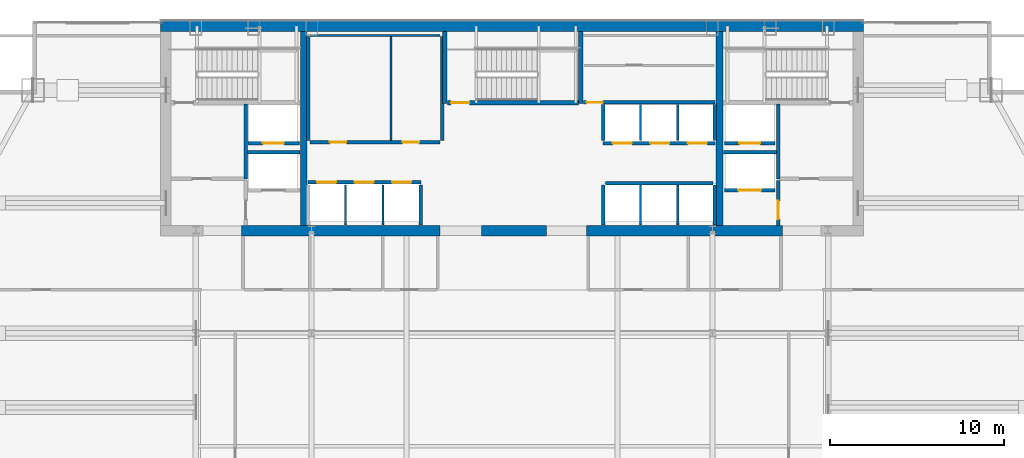
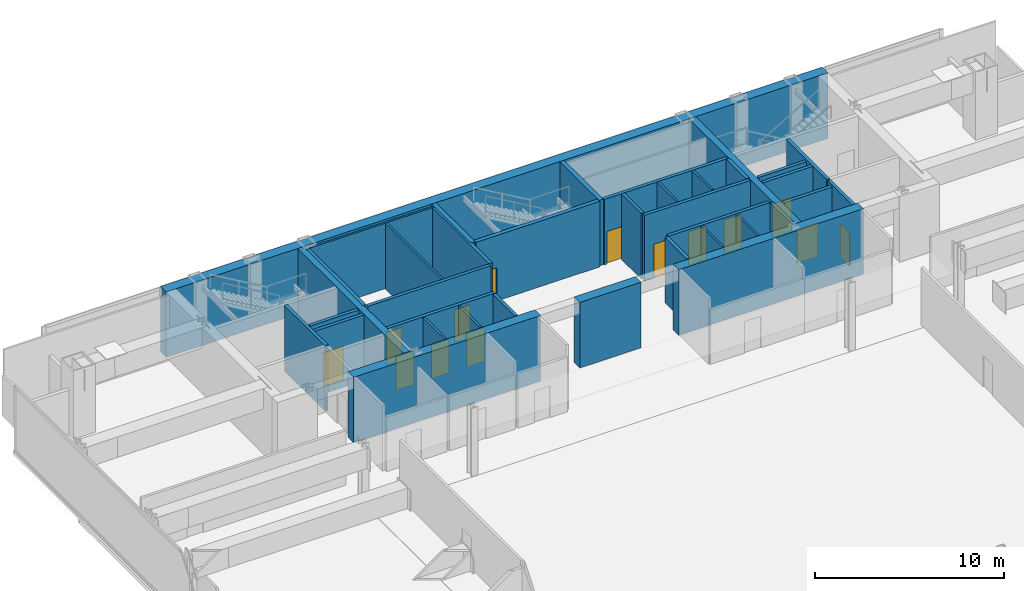
# One storey, part 22 of 25: 37 walls, 14 doors, 14 openings.
"""IFC4 building model written with IfcOpenShell, lengths in metres."""

from ifc_helpers import new_model, si_unit, direction, frame, frame_2d, origin, place, context, subcontext, project, spatial, rectangle, extrude, material, layer, layer_set, type_object, element, fill, save


model = new_model("IFC4")

# Units and contexts
model_context = context("Model", 3, precision=1e-05, world=origin(), true_north=direction((0.0, 1.0)))
body_context = subcontext(model_context, "Body", "Model", "MODEL_VIEW")
ifc_project = project(units=[si_unit("LENGTHUNIT", "METRE"), si_unit("AREAUNIT", "SQUARE_METRE"), si_unit("VOLUMEUNIT", "CUBIC_METRE"), si_unit("PLANEANGLEUNIT", "RADIAN"), si_unit("MASSUNIT", "GRAM", prefix="KILO")], contexts=[model_context])

# Site, building, storey
site_placement = place(None, origin())
site = spatial("IfcSite", under=ifc_project, at=site_placement, CompositionType="ELEMENT")
building_placement = place(site_placement, origin())
building = spatial("IfcBuilding", under=site, at=building_placement, Name="Khoronbel Lancet Exchange", CompositionType="ELEMENT")
storey_placement = place(building_placement, frame((0.0, 0.0, 184.199951171875)))
storey = spatial("IfcBuildingStorey", under=building, at=storey_placement, Name="L46", CompositionType="ELEMENT", Elevation=184.199951171875)

# Walls
ifc_material_1 = material(Name="Concrete C60/75", Category="concrete")
ifc_layer_1 = layer(ifc_material_1, 0.60009765625, Name="Concrete C60/75")
ifc_layer_set_1 = layer_set([ifc_layer_1], Name="Concrete C60/75")
wall_type_1 = type_object("IfcWallType", Name="WL-CW3", PredefinedType="SHEAR", material=ifc_layer_set_1)
wall_1_placement = place(storey_placement, frame((16.199951171875, 53.39990234375, 0.0), z_axis=(0.0, 0.0, 1.0), x_axis=(1.0, 0.0, 0.0)))
element("IfcWall", 1, at=wall_1_placement, inside=storey, type_object=wall_type_1, Name="Level L46 rear core north shear wall", PredefinedType="SHEAR", context=body_context, shape_type="SweptSolid", body=[
    extrude(rectangle(XDim=40.5, YDim=0.60009765625, at=frame_2d((20.25, 0.0))), origin(), (0.0, 0.0, 1.0), 4.239990234375),
])
wall_2_placement = place(storey_placement, frame((32.300048828125, 41.60009765625, 0.0), z_axis=(0.0, 0.0, 1.0), x_axis=(-1.0, 0.0, 0.0)))
element("IfcWall", 2, at=wall_2_placement, inside=storey, type_object=wall_type_1, Name="Level L46 rear core south shear wall pier P2", PredefinedType="SHEAR", context=body_context, shape_type="SweptSolid", body=[
    extrude(rectangle(XDim=11.449951171875, YDim=0.60009765625, at=frame_2d((5.72509765625, 0.0))), origin(), (0.0, 0.0, 1.0), 4.239990234375),
])
wall_3_placement = place(storey_placement, frame((38.449951171875, 41.60009765625, 0.0), z_axis=(0.0, 0.0, 1.0), x_axis=(-1.0, 0.0, 0.0)))
element("IfcWall", 3, at=wall_3_placement, inside=storey, type_object=wall_type_1, Name="Level L46 rear core south shear wall pier P3", PredefinedType="SHEAR", context=body_context, shape_type="SweptSolid", body=[
    extrude(rectangle(XDim=3.75, YDim=0.60009765625, at=frame_2d((1.875, 0.0))), origin(), (0.0, 0.0, 1.0), 4.239990234375),
])
wall_4_placement = place(storey_placement, frame((52.050048828125, 41.60009765625, 0.0), z_axis=(0.0, 0.0, 1.0), x_axis=(-1.0, 0.0, 0.0)))
element("IfcWall", 4, at=wall_4_placement, inside=storey, type_object=wall_type_1, Name="Level L46 rear core south shear wall pier P4", PredefinedType="SHEAR", context=body_context, shape_type="SweptSolid", body=[
    extrude(rectangle(XDim=11.300048828125, YDim=0.60009765625, at=frame_2d((5.64990234375, 0.0))), origin(), (0.0, 0.0, 1.0), 4.239990234375),
])
ifc_material_2 = material(Name="Fire-Rated Metal-Stud & Mineral-Wool Gypsum Partition 120 mm", Category="gypsum")
ifc_layer_2 = layer(ifc_material_2, 0.1201171875, Name="Fire-Rated Metal-Stud & Mineral-Wool Gypsum Partition 120 mm")
ifc_layer_set_2 = layer_set([ifc_layer_2], Name="Fire-Rated Metal-Stud & Mineral-Wool Gypsum Partition 120 mm")
wall_type_2 = type_object("IfcWallType", Name="WL-PRT120F", PredefinedType="PARTITIONING", material=ifc_layer_set_2)
wall_5_placement = place(storey_placement, frame((24.804931640625, 52.860107421875, 0.0), z_axis=(0.0, 0.0, 1.0), x_axis=(1.0, 0.0, 0.0)))
element("IfcWall", 5, at=wall_5_placement, inside=storey, type_object=wall_type_2, Name="Level L46 interior partition CW-PL-RN", PredefinedType="PARTITIONING", context=body_context, shape_type="SweptSolid", body=[
    extrude(rectangle(XDim=7.510009765625, YDim=0.1201171875, at=frame_2d((3.7548828125, 0.0))), origin(), (0.0, 0.0, 1.0), 4.239990234375),
])
wall_6_placement = place(storey_placement, frame((29.486328125, 46.804931640625, 0.0), z_axis=(0.0, 0.0, 1.0), x_axis=(0.0, 1.0, 0.0)))
element("IfcWall", 6, at=wall_6_placement, inside=storey, type_object=wall_type_2, Name="Level L46 interior partition CW-PL-RS2", PredefinedType="PARTITIONING", context=body_context, shape_type="SweptSolid", body=[
    extrude(rectangle(XDim=5.989990234375, YDim=0.1201171875, at=frame_2d((2.9951171875, 0.0))), origin(), (0.0, 0.0, 1.0), 4.239990234375),
])
for number, where, z_axis, x_axis, name in (
    (7, (26.860107421875, 41.949951171875, 0.0), (0.0, 0.0, 1.0), (0.0, 1.0, 0.0), "Level L46 interior partition CW-PM-D1"),
    (8, (29.02001953125, 41.949951171875, 0.0), (0.0, 0.0, 1.0), (0.0, 1.0, 0.0), "Level L46 interior partition CW-PM-D2"),
):
    element("IfcWall", number, at=place(storey_placement, frame(where, z_axis=z_axis, x_axis=x_axis)), inside=storey, type_object=wall_type_2, Name=name, PredefinedType="PARTITIONING", context=body_context, shape_type="SweptSolid", body=[
        extrude(rectangle(XDim=2.300048828125, YDim=0.1201171875, at=frame_2d((1.14990234375, 0.0))), origin(), (0.0, 0.0, 1.0), 4.239990234375),
    ])
for number, where, z_axis, x_axis, name in (
    (9, (43.860107421875, 46.800048828125, 0.0), (0.0, 0.0, 1.0), (0.0, 1.0, 0.0), "Level L46 interior partition CW-PH-D1"),
    (10, (46.0, 46.800048828125, 0.0), (0.0, 0.0, 1.0), (0.0, 1.0, 0.0), "Level L46 interior partition CW-PH-D2"),
):
    element("IfcWall", number, at=place(storey_placement, frame(where, z_axis=z_axis, x_axis=x_axis)), inside=storey, type_object=wall_type_2, Name=name, PredefinedType="PARTITIONING", context=body_context, shape_type="SweptSolid", body=[
        extrude(rectangle(XDim=2.094970703125, YDim=0.1201171875, at=frame_2d((1.04736328125, 0.0))), origin(), (0.0, 0.0, 1.0), 4.239990234375),
    ])
for number, where, z_axis, x_axis, name in (
    (11, (43.860107421875, 41.949951171875, 0.0), (0.0, 0.0, 1.0), (0.0, 1.0, 0.0), "Level L46 interior partition CW-PX-D1"),
    (12, (46.0, 41.949951171875, 0.0), (0.0, 0.0, 1.0), (0.0, 1.0, 0.0), "Level L46 interior partition CW-PX-D2"),
):
    element("IfcWall", number, at=place(storey_placement, frame(where, z_axis=z_axis, x_axis=x_axis)), inside=storey, type_object=wall_type_2, Name=name, PredefinedType="PARTITIONING", context=body_context, shape_type="SweptSolid", body=[
        extrude(rectangle(XDim=2.295166015625, YDim=0.1201171875, at=frame_2d((1.1474609375, 0.0))), origin(), (0.0, 0.0, 1.0), 4.239990234375),
    ])

# Wall, openings, doors
ifc_material_3 = material(Name="Autoclaved Aerated Concrete Blockwork 200 mm", Category="masonry")
ifc_layer_3 = layer(ifc_material_3, 0.199951171875, Name="Autoclaved Aerated Concrete Blockwork 200 mm")
ifc_layer_set_3 = layer_set([ifc_layer_3], Name="Autoclaved Aerated Concrete Blockwork 200 mm")
wall_type_3 = type_object("IfcWallType", Name="WL-PRT200", PredefinedType="PARTITIONING", material=ifc_layer_set_3)
wall_7_placement = place(storey_placement, frame((24.68994140625, 44.39990234375, 0.0), z_axis=(0.0, 0.0, 1.0), x_axis=(1.0, 0.0, 0.0)))
wall_7 = element("IfcWall", 13, at=wall_7_placement, inside=storey, type_object=wall_type_3, Name="Level L46 elevator hoistway landing front wall PMW", PredefinedType="PARTITIONING", context=body_context, shape_type="SweptSolid", body=[
    extrude(rectangle(XDim=6.530029296875, YDim=0.199951171875, at=frame_2d((3.26513671875, 0.0))), origin(), (0.0, 0.0, 1.0), 4.239990234375),
])
opening_1_placement = place(wall_7_placement, frame((0.530029296875, 0.0, 0.0)))
opening_1 = element("IfcOpeningElement", 14, at=opening_1_placement, cuts=wall_7, Name="Opening LD-PM1", PredefinedType="OPENING", context=body_context, shape_type="SweptSolid", body=[
    extrude(rectangle(XDim=1.10009765625, YDim=2.179931640625, at=frame_2d((0.550048828125, 1.08984375))), frame((0.0, 0.10986328125, 0.0), z_axis=(0.0, -1.0, 0.0), x_axis=(1.0, 0.0, 0.0)), (0.0, 0.0, 1.0), 0.219970703125),
])
opening_2_placement = place(wall_7_placement, frame((2.68994140625, 0.0, 0.0)))
opening_2 = element("IfcOpeningElement", 15, at=opening_2_placement, cuts=wall_7, Name="Opening LD-PM2", PredefinedType="OPENING", context=body_context, shape_type="SweptSolid", body=[
    extrude(rectangle(XDim=1.10009765625, YDim=2.179931640625, at=frame_2d((0.550048828125, 1.08984375))), frame((0.0, 0.10986328125, 0.0), z_axis=(0.0, -1.0, 0.0), x_axis=(1.0, 0.0, 0.0)), (0.0, 0.0, 1.0), 0.219970703125),
])
opening_3_placement = place(wall_7_placement, frame((4.85009765625, 0.0, 0.0)))
opening_3 = element("IfcOpeningElement", 16, at=opening_3_placement, cuts=wall_7, Name="Opening LD-PM3", PredefinedType="OPENING", context=body_context, shape_type="SweptSolid", body=[
    extrude(rectangle(XDim=1.10009765625, YDim=2.179931640625, at=frame_2d((0.550048828125, 1.08984375))), frame((0.0, 0.10986328125, 0.0), z_axis=(0.0, -1.0, 0.0), x_axis=(1.0, 0.0, 0.0)), (0.0, 0.0, 1.0), 0.219970703125),
])
ifc_material_4 = material(Name="Brushed Bronze Bi-Parting Elevator Landing Door", Category="steel")
door_type_1 = type_object("IfcDoorType", Name="DR-LD-PAX", OperationType="NOTDEFINED", PredefinedType="DOOR", material=ifc_material_4)
door_1_placement = place(opening_1_placement, origin())
door_1 = element("IfcDoor", 17, at=door_1_placement, inside=storey, type_object=door_type_1, Name="Elevator landing sliding door LD-PM1 L46", OperationType="SLIDING_TO_LEFT", OverallHeight=2.179931640625, OverallWidth=1.10009765625, PredefinedType="DOOR", context=body_context, shape_type="SweptSolid", body=[
    extrude(rectangle(XDim=1.10009765625, YDim=2.179931640625, at=frame_2d((0.550048828125, 1.08984375))), frame((0.0, 0.02490234375, 0.0), z_axis=(0.0, -1.0, 0.0), x_axis=(1.0, 0.0, 0.0)), (0.0, 0.0, 1.0), 0.050048828125),
])
fill(opening_1, door_1)
door_2_placement = place(opening_2_placement, origin())
door_2 = element("IfcDoor", 18, at=door_2_placement, inside=storey, type_object=door_type_1, Name="Elevator landing sliding door LD-PM2 L46", OperationType="SLIDING_TO_LEFT", OverallHeight=2.179931640625, OverallWidth=1.10009765625, PredefinedType="DOOR", context=body_context, shape_type="SweptSolid", body=[
    extrude(rectangle(XDim=1.10009765625, YDim=2.179931640625, at=frame_2d((0.550048828125, 1.08984375))), frame((0.0, 0.02490234375, 0.0), z_axis=(0.0, -1.0, 0.0), x_axis=(1.0, 0.0, 0.0)), (0.0, 0.0, 1.0), 0.050048828125),
])
fill(opening_2, door_2)
door_3_placement = place(opening_3_placement, origin())
door_3 = element("IfcDoor", 19, at=door_3_placement, inside=storey, type_object=door_type_1, Name="Elevator landing sliding door LD-PM3 L46", OperationType="SLIDING_TO_LEFT", OverallHeight=2.179931640625, OverallWidth=1.10009765625, PredefinedType="DOOR", context=body_context, shape_type="SweptSolid", body=[
    extrude(rectangle(XDim=1.10009765625, YDim=2.179931640625, at=frame_2d((0.550048828125, 1.08984375))), frame((0.0, 0.02490234375, 0.0), z_axis=(0.0, -1.0, 0.0), x_axis=(1.0, 0.0, 0.0)), (0.0, 0.0, 1.0), 0.050048828125),
])
fill(opening_3, door_3)

# Wall, opening, door
wall_8_placement = place(storey_placement, frame((51.610107421875, 43.949951171875, 0.0), z_axis=(0.0, 0.0, 1.0), x_axis=(-1.0, 0.0, 0.0)))
wall_8 = element("IfcWall", 20, at=wall_8_placement, inside=storey, type_object=wall_type_3, Name="Level L46 elevator hoistway landing front wall SVLE", PredefinedType="PARTITIONING", context=body_context, shape_type="SweptSolid", body=[
    extrude(rectangle(XDim=2.920166015625, YDim=0.199951171875, at=frame_2d((1.4599609375, 0.0))), origin(), (0.0, 0.0, 1.0), 4.239990234375),
])
opening_4_placement = place(wall_8_placement, frame((0.81005859375, 0.0, 0.0)))
opening_4 = element("IfcOpeningElement", 21, at=opening_4_placement, cuts=wall_8, Name="Opening LD-SVL2", PredefinedType="OPENING", context=body_context, shape_type="SweptSolid", body=[
    extrude(rectangle(XDim=1.300048828125, YDim=2.179931640625, at=frame_2d((0.64990234375, 1.08984375))), frame((0.0, 0.10986328125, 0.0), z_axis=(0.0, -1.0, 0.0), x_axis=(1.0, 0.0, 0.0)), (0.0, 0.0, 1.0), 0.219970703125),
])
ifc_material_5 = material(Name="Heavy-Duty Bi-Parting Goods Lift Landing Door", Category="steel")
door_type_2 = type_object("IfcDoorType", Name="DR-LD-SVL", OperationType="NOTDEFINED", PredefinedType="DOOR", material=ifc_material_5)
door_4_placement = place(opening_4_placement, origin())
door_4 = element("IfcDoor", 22, at=door_4_placement, inside=storey, type_object=door_type_2, Name="Elevator landing sliding door LD-SVL2 L46", OperationType="SLIDING_TO_LEFT", OverallHeight=2.179931640625, OverallWidth=1.300048828125, PredefinedType="DOOR", context=body_context, shape_type="SweptSolid", body=[
    extrude(rectangle(XDim=1.300048828125, YDim=2.179931640625, at=frame_2d((0.64990234375, 1.08984375))), frame((0.0, 0.02490234375, 0.0), z_axis=(0.0, -1.0, 0.0), x_axis=(1.0, 0.0, 0.0)), (0.0, 0.0, 1.0), 0.050048828125),
])
fill(opening_4, door_4)

wall_9_placement = place(storey_placement, frame((51.610107421875, 46.64990234375, 0.0), z_axis=(0.0, 0.0, 1.0), x_axis=(-1.0, 0.0, 0.0)))
wall_9 = element("IfcWall", 23, at=wall_9_placement, inside=storey, type_object=wall_type_3, Name="Level L46 elevator hoistway landing front wall FFLE", PredefinedType="PARTITIONING", context=body_context, shape_type="SweptSolid", body=[
    extrude(rectangle(XDim=2.920166015625, YDim=0.199951171875, at=frame_2d((1.4599609375, 0.0))), origin(), (0.0, 0.0, 1.0), 4.239990234375),
])
opening_5_placement = place(wall_9_placement, frame((0.860107421875, 0.0, 0.0)))
opening_5 = element("IfcOpeningElement", 24, at=opening_5_placement, cuts=wall_9, Name="Opening LD-FFL2", PredefinedType="OPENING", context=body_context, shape_type="SweptSolid", body=[
    extrude(rectangle(XDim=1.199951171875, YDim=2.179931640625, at=frame_2d((0.60009765625, 1.08984375))), frame((0.0, 0.10986328125, 0.0), z_axis=(0.0, -1.0, 0.0), x_axis=(1.0, 0.0, 0.0)), (0.0, 0.0, 1.0), 0.219970703125),
])
ifc_material_6 = material(Name="Fire-Rated Stainless Bi-Parting Firefighting Lift Door", Category="steel")
door_type_3 = type_object("IfcDoorType", Name="DR-LD-FFL", OperationType="NOTDEFINED", PredefinedType="DOOR", material=ifc_material_6)
door_5_placement = place(opening_5_placement, origin())
door_5 = element("IfcDoor", 25, at=door_5_placement, inside=storey, type_object=door_type_3, Name="Elevator landing sliding door LD-FFL2 L46", OperationType="SLIDING_TO_LEFT", OverallHeight=2.179931640625, OverallWidth=1.199951171875, PredefinedType="DOOR", context=body_context, shape_type="SweptSolid", body=[
    extrude(rectangle(XDim=1.199951171875, YDim=2.179931640625, at=frame_2d((0.60009765625, 1.08984375))), frame((0.0, 0.02490234375, 0.0), z_axis=(0.0, -1.0, 0.0), x_axis=(1.0, 0.0, 0.0)), (0.0, 0.0, 1.0), 0.050048828125),
])
fill(opening_5, door_5)

wall_10_placement = place(storey_placement, frame((24.2099609375, 46.64990234375, 0.0), z_axis=(0.0, 0.0, 1.0), x_axis=(-1.0, 0.0, 0.0)))
wall_10 = element("IfcWall", 26, at=wall_10_placement, inside=storey, type_object=wall_type_3, Name="Level L46 elevator hoistway landing front wall FFLW", PredefinedType="PARTITIONING", context=body_context, shape_type="SweptSolid", body=[
    extrude(rectangle(XDim=2.969970703125, YDim=0.199951171875, at=frame_2d((1.48486328125, 0.0))), origin(), (0.0, 0.0, 1.0), 4.239990234375),
])
opening_6_placement = place(wall_10_placement, frame((0.909912109375, 0.0, 0.0)))
opening_6 = element("IfcOpeningElement", 27, at=opening_6_placement, cuts=wall_10, Name="Opening LD-FFL1", PredefinedType="OPENING", context=body_context, shape_type="SweptSolid", body=[
    extrude(rectangle(XDim=1.199951171875, YDim=2.179931640625, at=frame_2d((0.60009765625, 1.08984375))), frame((0.0, 0.10986328125, 0.0), z_axis=(0.0, -1.0, 0.0), x_axis=(1.0, 0.0, 0.0)), (0.0, 0.0, 1.0), 0.219970703125),
])
door_6_placement = place(opening_6_placement, origin())
door_6 = element("IfcDoor", 28, at=door_6_placement, inside=storey, type_object=door_type_3, Name="Elevator landing sliding door LD-FFL1 L46", OperationType="SLIDING_TO_LEFT", OverallHeight=2.179931640625, OverallWidth=1.199951171875, PredefinedType="DOOR", context=body_context, shape_type="SweptSolid", body=[
    extrude(rectangle(XDim=1.199951171875, YDim=2.179931640625, at=frame_2d((0.60009765625, 1.08984375))), frame((0.0, 0.02490234375, 0.0), z_axis=(0.0, -1.0, 0.0), x_axis=(1.0, 0.0, 0.0)), (0.0, 0.0, 1.0), 0.050048828125),
])
fill(opening_6, door_6)

# Wall, openings, doors
wall_11_placement = place(storey_placement, frame((48.159912109375, 46.64990234375, 0.0), z_axis=(0.0, 0.0, 1.0), x_axis=(-1.0, 0.0, 0.0)))
wall_11 = element("IfcWall", 29, at=wall_11_placement, inside=storey, type_object=wall_type_3, Name="Level L46 elevator hoistway landing front wall PHE", PredefinedType="PARTITIONING", context=body_context, shape_type="SweptSolid", body=[
    extrude(rectangle(XDim=6.47998046875, YDim=0.199951171875, at=frame_2d((3.239990234375, 0.0))), origin(), (0.0, 0.0, 1.0), 4.239990234375),
])
opening_7_placement = place(wall_11_placement, frame((4.800048828125, 0.0, 0.0)))
opening_7 = element("IfcOpeningElement", 30, at=opening_7_placement, cuts=wall_11, Name="Opening LD-PH1", PredefinedType="OPENING", context=body_context, shape_type="SweptSolid", body=[
    extrude(rectangle(XDim=1.10009765625, YDim=2.179931640625, at=frame_2d((0.550048828125, 1.08984375))), frame((0.0, 0.10986328125, 0.0), z_axis=(0.0, -1.0, 0.0), x_axis=(1.0, 0.0, 0.0)), (0.0, 0.0, 1.0), 0.219970703125),
])
opening_8_placement = place(wall_11_placement, frame((2.639892578125, 0.0, 0.0)))
opening_8 = element("IfcOpeningElement", 31, at=opening_8_placement, cuts=wall_11, Name="Opening LD-PH2", PredefinedType="OPENING", context=body_context, shape_type="SweptSolid", body=[
    extrude(rectangle(XDim=1.10009765625, YDim=2.179931640625, at=frame_2d((0.550048828125, 1.08984375))), frame((0.0, 0.10986328125, 0.0), z_axis=(0.0, -1.0, 0.0), x_axis=(1.0, 0.0, 0.0)), (0.0, 0.0, 1.0), 0.219970703125),
])
opening_9_placement = place(wall_11_placement, frame((0.47998046875, 0.0, 0.0)))
opening_9 = element("IfcOpeningElement", 32, at=opening_9_placement, cuts=wall_11, Name="Opening LD-PH3", PredefinedType="OPENING", context=body_context, shape_type="SweptSolid", body=[
    extrude(rectangle(XDim=1.10009765625, YDim=2.179931640625, at=frame_2d((0.550048828125, 1.08984375))), frame((0.0, 0.10986328125, 0.0), z_axis=(0.0, -1.0, 0.0), x_axis=(1.0, 0.0, 0.0)), (0.0, 0.0, 1.0), 0.219970703125),
])
door_7_placement = place(opening_7_placement, origin())
door_7 = element("IfcDoor", 33, at=door_7_placement, inside=storey, type_object=door_type_1, Name="Elevator landing sliding door LD-PH1 L46", OperationType="SLIDING_TO_LEFT", OverallHeight=2.179931640625, OverallWidth=1.10009765625, PredefinedType="DOOR", context=body_context, shape_type="SweptSolid", body=[
    extrude(rectangle(XDim=1.10009765625, YDim=2.179931640625, at=frame_2d((0.550048828125, 1.08984375))), frame((0.0, 0.02490234375, 0.0), z_axis=(0.0, -1.0, 0.0), x_axis=(1.0, 0.0, 0.0)), (0.0, 0.0, 1.0), 0.050048828125),
])
fill(opening_7, door_7)
door_8_placement = place(opening_8_placement, origin())
door_8 = element("IfcDoor", 34, at=door_8_placement, inside=storey, type_object=door_type_1, Name="Elevator landing sliding door LD-PH2 L46", OperationType="SLIDING_TO_LEFT", OverallHeight=2.179931640625, OverallWidth=1.10009765625, PredefinedType="DOOR", context=body_context, shape_type="SweptSolid", body=[
    extrude(rectangle(XDim=1.10009765625, YDim=2.179931640625, at=frame_2d((0.550048828125, 1.08984375))), frame((0.0, 0.02490234375, 0.0), z_axis=(0.0, -1.0, 0.0), x_axis=(1.0, 0.0, 0.0)), (0.0, 0.0, 1.0), 0.050048828125),
])
fill(opening_8, door_8)
door_9_placement = place(opening_9_placement, origin())
door_9 = element("IfcDoor", 35, at=door_9_placement, inside=storey, type_object=door_type_1, Name="Elevator landing sliding door LD-PH3 L46", OperationType="SLIDING_TO_LEFT", OverallHeight=2.179931640625, OverallWidth=1.10009765625, PredefinedType="DOOR", context=body_context, shape_type="SweptSolid", body=[
    extrude(rectangle(XDim=1.10009765625, YDim=2.179931640625, at=frame_2d((0.550048828125, 1.08984375))), frame((0.0, 0.02490234375, 0.0), z_axis=(0.0, -1.0, 0.0), x_axis=(1.0, 0.0, 0.0)), (0.0, 0.0, 1.0), 0.050048828125),
])
fill(opening_9, door_9)

# Walls
wall_12_placement = place(storey_placement, frame((21.10009765625, 44.60009765625, 0.0), z_axis=(0.0, 0.0, 1.0), x_axis=(0.0, 1.0, 0.0)))
element("IfcWall", 36, at=wall_12_placement, inside=storey, type_object=wall_type_3, Name="Level L46 interior partition CW-FFLW-E", PredefinedType="PARTITIONING", context=body_context, shape_type="SweptSolid", body=[
    extrude(rectangle(XDim=4.2998046875, YDim=0.199951171875, at=frame_2d((2.14990234375, 0.0))), origin(), (0.0, 0.0, 1.0), 4.239990234375),
])
wall_13_placement = place(storey_placement, frame((21.199951171875, 46.1201171875, 0.0), z_axis=(0.0, 0.0, 1.0), x_axis=(1.0, 0.0, 0.0)))
element("IfcWall", 37, at=wall_13_placement, inside=storey, type_object=wall_type_3, Name="Level L46 interior partition CW-FFL1-S", PredefinedType="PARTITIONING", context=body_context, shape_type="SweptSolid", body=[
    extrude(rectangle(XDim=3.02001953125, YDim=0.199951171875, at=frame_2d((1.510009765625, 0.0))), origin(), (0.0, 0.0, 1.0), 4.239990234375),
])
wall_14_placement = place(storey_placement, frame((51.800048828125, 44.60009765625, 0.0), z_axis=(0.0, 0.0, 1.0), x_axis=(0.0, 1.0, 0.0)))
element("IfcWall", 38, at=wall_14_placement, inside=storey, type_object=wall_type_3, Name="Level L46 interior partition CW-FFLE-W", PredefinedType="PARTITIONING", context=body_context, shape_type="SweptSolid", body=[
    extrude(rectangle(XDim=4.2998046875, YDim=0.199951171875, at=frame_2d((2.14990234375, 0.0))), origin(), (0.0, 0.0, 1.0), 4.239990234375),
])
wall_15_placement = place(storey_placement, frame((48.6298828125, 46.1201171875, 0.0), z_axis=(0.0, 0.0, 1.0), x_axis=(1.0, 0.0, 0.0)))
element("IfcWall", 39, at=wall_15_placement, inside=storey, type_object=wall_type_3, Name="Level L46 interior partition CW-FFL2-S", PredefinedType="PARTITIONING", context=body_context, shape_type="SweptSolid", body=[
    extrude(rectangle(XDim=3.070068359375, YDim=0.199951171875, at=frame_2d((1.53515625, 0.0))), origin(), (0.0, 0.0, 1.0), 4.239990234375),
])

# Wall, opening, door
wall_16_placement = place(storey_placement, frame((51.800048828125, 41.89990234375, 0.0), z_axis=(0.0, 0.0, 1.0), x_axis=(0.0, 1.0, 0.0)))
wall_16 = element("IfcWall", 40, at=wall_16_placement, inside=storey, type_object=wall_type_3, Name="Level L46 interior partition CW-SVLE-E", PredefinedType="PARTITIONING", context=body_context, shape_type="SweptSolid", body=[
    extrude(rectangle(XDim=2.59521484375, YDim=0.199951171875, at=frame_2d((1.297607421875, 0.0))), origin(), (0.0, 0.0, 1.0), 4.239990234375),
])
opening_10_placement = place(wall_16_placement, frame((0.3798828125, 0.0, 0.0)))
opening_10 = element("IfcOpeningElement", 41, at=opening_10_placement, cuts=wall_16, Name="Opening FD1", PredefinedType="OPENING", context=body_context, shape_type="SweptSolid", body=[
    extrude(rectangle(XDim=1.050048828125, YDim=2.14990234375, at=frame_2d((0.52490234375, 1.074951171875))), frame((0.0, 0.10986328125, 0.0), z_axis=(0.0, -1.0, 0.0), x_axis=(1.0, 0.0, 0.0)), (0.0, 0.0, 1.0), 0.219970703125),
])
ifc_material_7 = material(Name="Fire-Rated Painted Steel Door Assembly", Category="steel")
door_type_4 = type_object("IfcDoorType", Name="DR-FD1", OperationType="NOTDEFINED", PredefinedType="DOOR", material=ifc_material_7)
door_10_placement = place(opening_10_placement, origin())
door_10 = element("IfcDoor", 42, at=door_10_placement, inside=storey, type_object=door_type_4, Name="East service lift lobby door L46-1", OperationType="SINGLE_SWING_LEFT", OverallHeight=2.14990234375, OverallWidth=1.050048828125, PredefinedType="DOOR", context=body_context, shape_type="SweptSolid", body=[
    extrude(rectangle(XDim=1.050048828125, YDim=2.14990234375, at=frame_2d((0.52490234375, 1.074951171875))), frame((0.0, 0.02490234375, 0.0), z_axis=(0.0, -1.0, 0.0), x_axis=(1.0, 0.0, 0.0)), (0.0, 0.0, 1.0), 0.050048828125),
])
fill(opening_10, door_10)

# Walls
for number, where, z_axis, x_axis, name in (
    (43, (24.699951171875, 46.804931640625, 0.0), (0.0, 0.0, 1.0), (0.0, 1.0, 0.0), "Level L46 interior partition CW-PL-RW"),
    (44, (32.419921875, 46.804931640625, 0.0), (0.0, 0.0, 1.0), (0.0, 1.0, 0.0), "Level L46 interior partition CW-PL-RE"),
):
    element("IfcWall", number, at=place(storey_placement, frame(where, z_axis=z_axis, x_axis=x_axis)), inside=storey, type_object=wall_type_3, Name=name, PredefinedType="PARTITIONING", context=body_context, shape_type="SweptSolid", body=[
        extrude(rectangle(XDim=5.989990234375, YDim=0.199951171875, at=frame_2d((2.9951171875, 0.0))), origin(), (0.0, 0.0, 1.0), 4.239990234375),
    ])

# Wall, openings, doors
wall_17_placement = place(storey_placement, frame((24.804931640625, 46.699951171875, 0.0), z_axis=(0.0, 0.0, 1.0), x_axis=(1.0, 0.0, 0.0)))
wall_17 = element("IfcWall", 45, at=wall_17_placement, inside=storey, type_object=wall_type_3, Name="Level L46 interior partition CW-PL-RF", PredefinedType="PARTITIONING", context=body_context, shape_type="SweptSolid", body=[
    extrude(rectangle(XDim=7.510009765625, YDim=0.199951171875, at=frame_2d((3.7548828125, 0.0))), origin(), (0.0, 0.0, 1.0), 4.239990234375),
])
opening_11_placement = place(wall_17_placement, frame((1.14990234375, 0.0, 0.0)))
opening_11 = element("IfcOpeningElement", 46, at=opening_11_placement, cuts=wall_17, Name="Opening FD3", PredefinedType="OPENING", context=body_context, shape_type="SweptSolid", body=[
    extrude(rectangle(XDim=0.949951171875, YDim=2.10009765625, at=frame_2d((0.47509765625, 1.050048828125))), frame((0.0, 0.10986328125, 0.0), z_axis=(0.0, -1.0, 0.0), x_axis=(1.0, 0.0, 0.0)), (0.0, 0.0, 1.0), 0.219970703125),
])
opening_12_placement = place(wall_17_placement, frame((5.33642578125, 0.0, 0.0)))
opening_12 = element("IfcOpeningElement", 47, at=opening_12_placement, cuts=wall_17, Name="Opening FD3", PredefinedType="OPENING", context=body_context, shape_type="SweptSolid", body=[
    extrude(rectangle(XDim=0.949951171875, YDim=2.10009765625, at=frame_2d((0.47509765625, 1.050048828125))), frame((0.0, 0.10986328125, 0.0), z_axis=(0.0, -1.0, 0.0), x_axis=(1.0, 0.0, 0.0)), (0.0, 0.0, 1.0), 0.219970703125),
])
ifc_material_8 = material(Name="Fire-Rated Steel Plant & Riser Door Assembly", Category="steel")
door_type_5 = type_object("IfcDoorType", Name="DR-FD3", OperationType="NOTDEFINED", PredefinedType="DOOR", material=ifc_material_8)
door_11_placement = place(opening_11_placement, origin())
door_11 = element("IfcDoor", 48, at=door_11_placement, inside=storey, type_object=door_type_5, Name="Reclaimed PL C door L46-1", OperationType="SINGLE_SWING_RIGHT", OverallHeight=2.10009765625, OverallWidth=0.949951171875, PredefinedType="DOOR", context=body_context, shape_type="SweptSolid", body=[
    extrude(rectangle(XDim=0.949951171875, YDim=2.10009765625, at=frame_2d((0.47509765625, 1.050048828125))), frame((0.0, 0.02490234375, 0.0), z_axis=(0.0, -1.0, 0.0), x_axis=(1.0, 0.0, 0.0)), (0.0, 0.0, 1.0), 0.050048828125),
])
fill(opening_11, door_11)
door_12_placement = place(opening_12_placement, origin())
door_12 = element("IfcDoor", 49, at=door_12_placement, inside=storey, type_object=door_type_5, Name="Reclaimed PL D door L46-2", OperationType="SINGLE_SWING_LEFT", OverallHeight=2.10009765625, OverallWidth=0.949951171875, PredefinedType="DOOR", context=body_context, shape_type="SweptSolid", body=[
    extrude(rectangle(XDim=0.949951171875, YDim=2.10009765625, at=frame_2d((0.47509765625, 1.050048828125))), frame((0.0, 0.02490234375, 0.0), z_axis=(0.0, -1.0, 0.0), x_axis=(1.0, 0.0, 0.0)), (0.0, 0.0, 1.0), 0.050048828125),
])
fill(opening_12, door_12)

# Walls
wall_18_placement = place(storey_placement, frame((31.179931640625, 41.949951171875, 0.0), z_axis=(0.0, 0.0, 1.0), x_axis=(0.0, 1.0, 0.0)))
element("IfcWall", 50, at=wall_18_placement, inside=storey, type_object=wall_type_3, Name="Level L46 interior partition CW-PM-E", PredefinedType="PARTITIONING", context=body_context, shape_type="SweptSolid", body=[
    extrude(rectangle(XDim=2.300048828125, YDim=0.199951171875, at=frame_2d((1.14990234375, 0.0))), origin(), (0.0, 0.0, 1.0), 4.239990234375),
])
for number, where, z_axis, x_axis, name in (
    (51, (41.719970703125, 46.800048828125, 0.0), (0.0, 0.0, 1.0), (0.0, 1.0, 0.0), "Level L46 interior partition CW-PH-W"),
    (52, (48.139892578125, 46.800048828125, 0.0), (0.0, 0.0, 1.0), (0.0, 1.0, 0.0), "Level L46 interior partition CW-PH-E"),
):
    element("IfcWall", number, at=place(storey_placement, frame(where, z_axis=z_axis, x_axis=x_axis)), inside=storey, type_object=wall_type_3, Name=name, PredefinedType="PARTITIONING", context=body_context, shape_type="SweptSolid", body=[
        extrude(rectangle(XDim=2.094970703125, YDim=0.199951171875, at=frame_2d((1.04736328125, 0.0))), origin(), (0.0, 0.0, 1.0), 4.239990234375),
    ])
wall_19_placement = place(storey_placement, frame((41.824951171875, 44.35009765625, 0.0), z_axis=(0.0, 0.0, 1.0), x_axis=(1.0, 0.0, 0.0)))
element("IfcWall", 53, at=wall_19_placement, inside=storey, type_object=wall_type_3, Name="Level L46 interior partition CW-PX-EXP", PredefinedType="PARTITIONING", context=body_context, shape_type="SweptSolid", body=[
    extrude(rectangle(XDim=6.2099609375, YDim=0.199951171875, at=frame_2d((3.10498046875, 0.0))), origin(), (0.0, 0.0, 1.0), 4.239990234375),
])
for number, where, z_axis, x_axis, name in (
    (54, (41.719970703125, 41.949951171875, 0.0), (0.0, 0.0, 1.0), (0.0, 1.0, 0.0), "Level L46 interior partition CW-PX-W"),
    (55, (48.139892578125, 41.949951171875, 0.0), (0.0, 0.0, 1.0), (0.0, 1.0, 0.0), "Level L46 interior partition CW-PX-E"),
):
    element("IfcWall", number, at=place(storey_placement, frame(where, z_axis=z_axis, x_axis=x_axis)), inside=storey, type_object=wall_type_3, Name=name, PredefinedType="PARTITIONING", context=body_context, shape_type="SweptSolid", body=[
        extrude(rectangle(XDim=2.295166015625, YDim=0.199951171875, at=frame_2d((1.1474609375, 0.0))), origin(), (0.0, 0.0, 1.0), 4.239990234375),
    ])

# Wall, opening, door
wall_20_placement = place(storey_placement, frame((40.580078125, 49.0, 0.0), z_axis=(0.0, 0.0, 1.0), x_axis=(1.0, 0.0, 0.0)))
wall_20 = element("IfcWall", 56, at=wall_20_placement, inside=storey, type_object=wall_type_3, Name="Level L46 interior partition CW-SUP-NE-S", PredefinedType="PARTITIONING", context=body_context, shape_type="SweptSolid", body=[
    extrude(rectangle(XDim=7.559814453125, YDim=0.199951171875, at=frame_2d((3.77978515625, 0.0))), origin(), (0.0, 0.0, 1.0), 4.239990234375),
])
opening_13_placement = place(wall_20_placement, frame((0.159912109375, 0.0, 0.0)))
opening_13 = element("IfcOpeningElement", 57, at=opening_13_placement, cuts=wall_20, Name="Opening FD3", PredefinedType="OPENING", context=body_context, shape_type="SweptSolid", body=[
    extrude(rectangle(XDim=0.949951171875, YDim=2.10009765625, at=frame_2d((0.47509765625, 1.050048828125))), frame((0.0, 0.10986328125, 0.0), z_axis=(0.0, -1.0, 0.0), x_axis=(1.0, 0.0, 0.0)), (0.0, 0.0, 1.0), 0.219970703125),
])
door_13_placement = place(opening_13_placement, origin())
door_13 = element("IfcDoor", 58, at=door_13_placement, inside=storey, type_object=door_type_5, Name="Core NE support room door L46-1", OperationType="SINGLE_SWING_RIGHT", OverallHeight=2.10009765625, OverallWidth=0.949951171875, PredefinedType="DOOR", context=body_context, shape_type="SweptSolid", body=[
    extrude(rectangle(XDim=0.949951171875, YDim=2.10009765625, at=frame_2d((0.47509765625, 1.050048828125))), frame((0.0, 0.02490234375, 0.0), z_axis=(0.0, -1.0, 0.0), x_axis=(1.0, 0.0, 0.0)), (0.0, 0.0, 1.0), 0.050048828125),
])
fill(opening_13, door_13)

# Walls
ifc_layer_4 = layer(ifc_material_1, 0.39990234375, Name="Concrete C60/75")
ifc_layer_set_4 = layer_set([ifc_layer_4], Name="Concrete C60/75")
wall_type_4 = type_object("IfcWallType", Name="WL-SW2", PredefinedType="SHEAR", material=ifc_layer_set_4)
for number, where, z_axis, x_axis, name in (
    (59, (24.449951171875, 41.89990234375, 0.0), (0.0, 0.0, 1.0), (0.0, 1.0, 0.0), "Level L46 rear core internal spine shear wall IW"),
    (60, (48.39990234375, 41.89990234375, 0.0), (0.0, 0.0, 1.0), (0.0, 1.0, 0.0), "Level L46 rear core internal spine shear wall IE"),
):
    element("IfcWall", number, at=place(storey_placement, frame(where, z_axis=z_axis, x_axis=x_axis)), inside=storey, type_object=wall_type_4, Name=name, PredefinedType="SHEAR", context=body_context, shape_type="SweptSolid", body=[
        extrude(rectangle(XDim=11.2001953125, YDim=0.39990234375, at=frame_2d((5.60009765625, 0.0))), origin(), (0.0, 0.0, 1.0), 4.239990234375),
    ])
ifc_layer_5 = layer(ifc_material_1, 0.260009765625, Name="Concrete C60/75")
ifc_layer_set_5 = layer_set([ifc_layer_5], Name="Concrete C60/75")
wall_type_5 = type_object("IfcWallType", Name="WL-SW3", PredefinedType="SHEAR", material=ifc_layer_set_5)
for number, where, z_axis, x_axis, name in (
    (61, (32.580078125, 48.949951171875, 0.0), (0.0, 0.0, 1.0), (0.0, 1.0, 0.0), "Level L46 central stairwell structural shear wall ST3W"),
    (62, (40.419921875, 48.949951171875, 0.0), (0.0, 0.0, 1.0), (0.0, 1.0, 0.0), "Level L46 central stairwell structural shear wall ST3E"),
):
    element("IfcWall", number, at=place(storey_placement, frame(where, z_axis=z_axis, x_axis=x_axis)), inside=storey, type_object=wall_type_5, Name=name, PredefinedType="SHEAR", context=body_context, shape_type="SweptSolid", body=[
        extrude(rectangle(XDim=4.150146484375, YDim=0.260009765625, at=frame_2d((2.0751953125, 0.0))), origin(), (0.0, 0.0, 1.0), 4.239990234375),
    ])

# Wall, opening, door
wall_21_placement = place(storey_placement, frame((32.719970703125, 48.97998046875, 0.0), z_axis=(0.0, 0.0, 1.0), x_axis=(1.0, 0.0, 0.0)))
wall_21 = element("IfcWall", 63, at=wall_21_placement, inside=storey, type_object=wall_type_5, Name="Level L46 central stairwell structural south wall", PredefinedType="SHEAR", context=body_context, shape_type="SweptSolid", body=[
    extrude(rectangle(XDim=7.56005859375, YDim=0.239990234375, at=frame_2d((3.780029296875, 0.0))), origin(), (0.0, 0.0, 1.0), 4.239990234375),
])
opening_14_placement = place(wall_21_placement, frame((0.219970703125, 0.0, 0.0)))
opening_14 = element("IfcOpeningElement", 64, at=opening_14_placement, cuts=wall_21, Name="Opening SD1", PredefinedType="OPENING", context=body_context, shape_type="SweptSolid", body=[
    extrude(rectangle(XDim=1.050048828125, YDim=2.14990234375, at=frame_2d((0.52490234375, 1.074951171875))), frame((0.0, 0.1298828125, 0.0), z_axis=(0.0, -1.0, 0.0), x_axis=(1.0, 0.0, 0.0)), (0.0, 0.0, 1.0), 0.260009765625),
])
ifc_material_9 = material(Name="Fire-Rated Steel Stairwell Door Assembly", Category="steel")
door_type_6 = type_object("IfcDoorType", Name="DR-SD1", OperationType="NOTDEFINED", PredefinedType="DOOR", material=ifc_material_9)
door_14_placement = place(opening_14_placement, origin())
door_14 = element("IfcDoor", 65, at=door_14_placement, inside=storey, type_object=door_type_6, Name="Protected exit stair ST3 door L46", OperationType="SINGLE_SWING_LEFT", OverallHeight=2.14990234375, OverallWidth=1.050048828125, PredefinedType="DOOR", context=body_context, shape_type="SweptSolid", body=[
    extrude(rectangle(XDim=1.050048828125, YDim=2.14990234375, at=frame_2d((0.52490234375, 1.074951171875))), frame((0.0, 0.02490234375, 0.0), z_axis=(0.0, -1.0, 0.0), x_axis=(1.0, 0.0, 0.0)), (0.0, 0.0, 1.0), 0.050048828125),
])
fill(opening_14, door_14)

save(model, "model.ifc")
